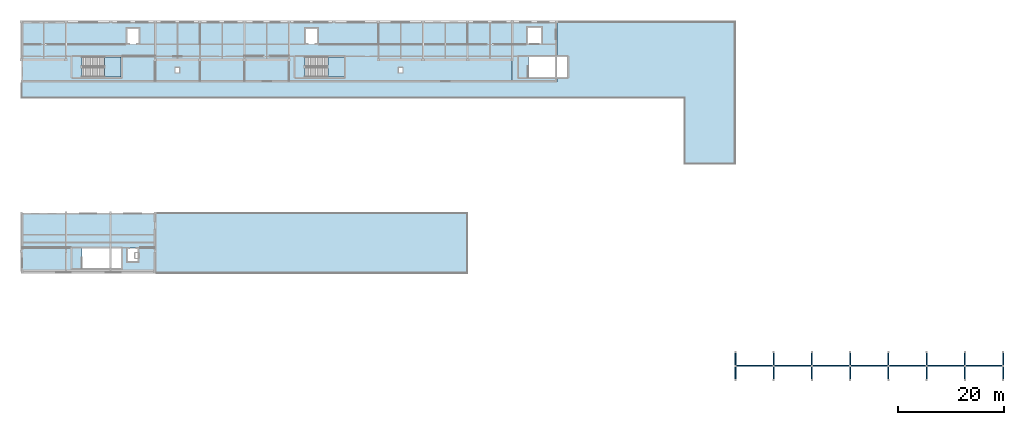
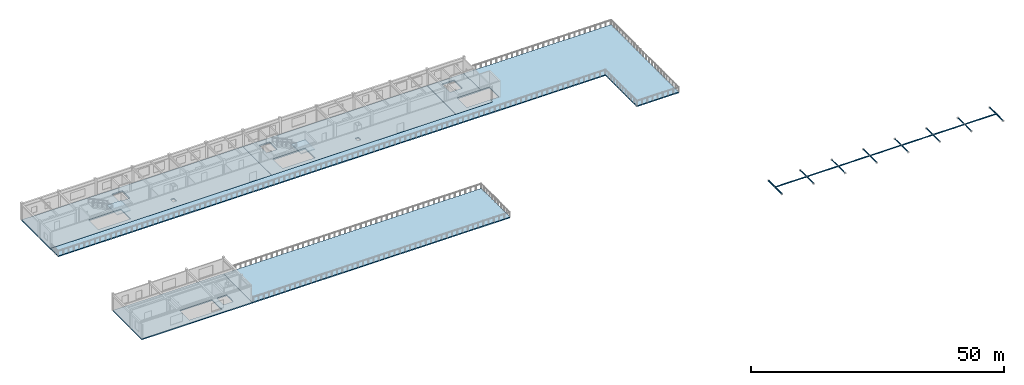
# One storey, part 2 of 14: 23 members, 8 slabs, 2 elements without a shape of their own.
"""IFC4 building model written with IfcOpenShell, lengths in metres."""

from ifc_helpers import new_model, si_unit, direction, frame, origin, origin_2d, place, context, subcontext, project, spatial, polyline, hollow_circle, outline, extrude, material, layer, layer_set, material_profile, profile_set, type_object, element, aggregate, save


model = new_model("IFC4")

# Units and contexts
model_context = context("Model", 3, precision=1e-05, world=origin(), true_north=direction((0.0, 1.0)))
body_context = subcontext(model_context, "Body", "Model", "MODEL_VIEW")
ifc_project = project(units=[si_unit("LENGTHUNIT", "METRE"), si_unit("AREAUNIT", "SQUARE_METRE"), si_unit("VOLUMEUNIT", "CUBIC_METRE"), si_unit("PLANEANGLEUNIT", "RADIAN"), si_unit("MASSUNIT", "GRAM", prefix="KILO")], contexts=[model_context])

# Site, building, storey
site_placement = place(None, origin())
site = spatial("IfcSite", under=ifc_project, at=site_placement, CompositionType="ELEMENT")
building_placement = place(site_placement, origin())
building = spatial("IfcBuilding", under=site, at=building_placement, Name="Malvenik Polytechnic", CompositionType="ELEMENT")
storey_placement = place(building_placement, frame((0.0, 0.0, 21.89990234375)))
storey = spatial("IfcBuildingStorey", under=building, at=storey_placement, Name="L05", CompositionType="ELEMENT", Elevation=21.89990234375)

# Members
ifc_material_1 = material(Name="Steel S355J2H", Category="steel")
ifc_material_profile_1 = material_profile(ifc_material_1, hollow_circle(Radius=0.096923828125, WallThickness=0.008056640625, at=origin_2d()), Name="CHS 193.7x8.0")
ifc_profile_set_1 = profile_set([ifc_material_profile_1], Name="Steel S355J2H")
member_type_1 = type_object("IfcMemberType", Name="STR-MEM-SFL-01", PredefinedType="CHORD", material=ifc_profile_set_1)
for number, where, z_axis, x_axis, name in (
    (1, (134.404052734375, 64.800048828125, 0.12890625), (1.0, 0.0, 0.0), (0.0, 1.0, 0.0), "Space-Frame Tube SFL-01 STR-SF-LT-0790"),
    (2, (141.60400390625, 64.800048828125, 0.12890625), (1.0, 0.0, 0.0), (0.0, 1.0, 0.0), "Space-Frame Tube SFL-01 STR-SF-LT-0832"),
):
    element("IfcMember", number, at=place(storey_placement, frame(where, z_axis=z_axis, x_axis=x_axis)), inside=storey, type_object=member_type_1, Name=name, PredefinedType="CHORD", context=body_context, shape_type="SweptSolid", body=[
        extrude(hollow_circle(Radius=0.096923828125, WallThickness=0.008056640625, at=origin_2d()), origin(), (0.0, 0.0, 1.0), 7.19189453125),
    ])
for number, where, z_axis, x_axis, name in (
    (3, (148.803955078125, 64.800048828125, 0.12890625), (1.0, 0.0, 0.0), (0.0, 1.0, 0.0), "Space-Frame Tube SFL-01 STR-SF-LT-0874"),
    (4, (156.00390625, 64.800048828125, 0.12890625), (1.0, 0.0, 0.0), (0.0, 1.0, 0.0), "Space-Frame Tube SFL-01 STR-SF-LT-0916"),
):
    element("IfcMember", number, at=place(storey_placement, frame(where, z_axis=z_axis, x_axis=x_axis)), inside=storey, type_object=member_type_1, Name=name, PredefinedType="CHORD", context=body_context, shape_type="SweptSolid", body=[
        extrude(hollow_circle(Radius=0.096923828125, WallThickness=0.008056640625, at=origin_2d()), origin(), (0.0, 0.0, 1.0), 7.192138671875),
    ])
for number, where, z_axis, x_axis, name in (
    (5, (163.2041015625, 64.800048828125, 0.12890625), (1.0, 0.0, 0.0), (0.0, 1.0, 0.0), "Space-Frame Tube SFL-01 STR-SF-LT-0958"),
    (6, (170.404052734375, 64.800048828125, 0.12890625), (1.0, 0.0, 0.0), (0.0, 1.0, 0.0), "Space-Frame Tube SFL-01 STR-SF-LT-1000"),
    (7, (177.60400390625, 64.800048828125, 0.12890625), (1.0, 0.0, 0.0), (0.0, 1.0, 0.0), "Space-Frame Tube SFL-01 STR-SF-LT-1042"),
):
    element("IfcMember", number, at=place(storey_placement, frame(where, z_axis=z_axis, x_axis=x_axis)), inside=storey, type_object=member_type_1, Name=name, PredefinedType="CHORD", context=body_context, shape_type="SweptSolid", body=[
        extrude(hollow_circle(Radius=0.096923828125, WallThickness=0.008056640625, at=origin_2d()), origin(), (0.0, 0.0, 1.0), 7.19189453125),
    ])
ifc_material_profile_2 = material_profile(ifc_material_1, hollow_circle(Radius=0.177734375, WallThickness=0.012451171875, at=origin_2d()), Name="CHS 355.6x12.5")
ifc_profile_set_2 = profile_set([ifc_material_profile_2], Name="Steel S355J2H")
member_type_2 = type_object("IfcMemberType", Name="STR-MEM-SFT-01", PredefinedType="CHORD", material=ifc_profile_set_2)
for number, where, z_axis, x_axis, name in (
    (8, (134.39990234375, 62.167236328125, 0.064453125), (0.0, 0.999699535849, 0.024511997535), (-1.0, 0.0, 0.0), "Space-Frame Tube SFT-01 STR-SF-TC-0024"),
    (9, (134.39990234375, 64.803955078125, 0.12890625), (0.0, 0.999699535849, -0.024511997535), (-1.0, 0.0, 0.0), "Space-Frame Tube SFT-01 STR-SF-TC-0026"),
):
    element("IfcMember", number, at=place(storey_placement, frame(where, z_axis=z_axis, x_axis=x_axis)), inside=storey, type_object=member_type_2, Name=name, PredefinedType="CHORD", context=body_context, shape_type="SweptSolid", body=[
        extrude(hollow_circle(Radius=0.177734375, WallThickness=0.012451171875, at=origin_2d()), origin(), (0.0, 0.0, 1.0), 2.62939453125),
    ])
ifc_material_profile_3 = material_profile(ifc_material_1, hollow_circle(Radius=0.136474609375, WallThickness=0.012451171875, at=origin_2d()), Name="CHS 273.0x12.5")
ifc_profile_set_3 = profile_set([ifc_material_profile_3], Name="Steel S355J2H")
member_type_3 = type_object("IfcMemberType", Name="STR-MEM-SFT-02", PredefinedType="CHORD", material=ifc_profile_set_3)
for number, where, z_axis, x_axis, name in (
    (10, (141.60009765625, 62.167236328125, 0.064453125), (0.0, 0.999699535849, 0.024511997535), (-1.0, 0.0, 0.0), "Space-Frame Tube SFT-02 STR-SF-TC-0121"),
    (11, (141.60009765625, 64.803955078125, 0.12890625), (0.0, 0.999699535849, -0.024511997535), (-1.0, 0.0, 0.0), "Space-Frame Tube SFT-02 STR-SF-TC-0123"),
    (12, (156.0, 62.167236328125, 0.064453125), (0.0, 0.999699535849, 0.024511997535), (-1.0, 0.0, 0.0), "Space-Frame Tube SFT-02 STR-SF-TC-0315"),
    (13, (156.0, 64.803955078125, 0.12890625), (0.0, 0.999699535849, -0.024511997535), (-1.0, 0.0, 0.0), "Space-Frame Tube SFT-02 STR-SF-TC-0317"),
    (14, (170.39990234375, 62.167236328125, 0.064453125), (0.0, 0.999699535849, 0.024511997535), (-1.0, 0.0, 0.0), "Space-Frame Tube SFT-02 STR-SF-TC-0509"),
    (15, (170.39990234375, 64.803955078125, 0.12890625), (0.0, 0.999699535849, -0.024511997535), (-1.0, 0.0, 0.0), "Space-Frame Tube SFT-02 STR-SF-TC-0511"),
):
    element("IfcMember", number, at=place(storey_placement, frame(where, z_axis=z_axis, x_axis=x_axis)), inside=storey, type_object=member_type_3, Name=name, PredefinedType="CHORD", context=body_context, shape_type="SweptSolid", body=[
        extrude(hollow_circle(Radius=0.136474609375, WallThickness=0.012451171875, at=origin_2d()), origin(), (0.0, 0.0, 1.0), 2.62939453125),
    ])
ifc_material_profile_4 = material_profile(ifc_material_1, hollow_circle(Radius=0.122314453125, WallThickness=0.010009765625, at=origin_2d()), Name="CHS 244.5x10.0")
ifc_profile_set_4 = profile_set([ifc_material_profile_4], Name="Steel S355J2H")
member_type_4 = type_object("IfcMemberType", Name="STR-MEM-SFT-03", PredefinedType="CHORD", material=ifc_profile_set_4)
for number, where, z_axis, x_axis, name in (
    (16, (148.800048828125, 62.167236328125, 0.064453125), (0.0, 0.999699535849, 0.024511997535), (-1.0, 0.0, 0.0), "Space-Frame Tube SFT-03 STR-SF-TC-0218"),
    (17, (148.800048828125, 64.803955078125, 0.12890625), (0.0, 0.999699535849, -0.024511997535), (-1.0, 0.0, 0.0), "Space-Frame Tube SFT-03 STR-SF-TC-0220"),
    (18, (163.199951171875, 62.167236328125, 0.064453125), (0.0, 0.999699535849, 0.024511997535), (-1.0, 0.0, 0.0), "Space-Frame Tube SFT-03 STR-SF-TC-0412"),
    (19, (163.199951171875, 64.803955078125, 0.12890625), (0.0, 0.999699535849, -0.024511997535), (-1.0, 0.0, 0.0), "Space-Frame Tube SFT-03 STR-SF-TC-0414"),
    (20, (177.60009765625, 62.167236328125, 0.064453125), (0.0, 0.999699535849, 0.024511997535), (-1.0, 0.0, 0.0), "Space-Frame Tube SFT-03 STR-SF-TC-0606"),
    (21, (177.60009765625, 64.803955078125, 0.12890625), (0.0, 0.999699535849, -0.024511997535), (-1.0, 0.0, 0.0), "Space-Frame Tube SFT-03 STR-SF-TC-0608"),
):
    element("IfcMember", number, at=place(storey_placement, frame(where, z_axis=z_axis, x_axis=x_axis)), inside=storey, type_object=member_type_4, Name=name, PredefinedType="CHORD", context=body_context, shape_type="SweptSolid", body=[
        extrude(hollow_circle(Radius=0.122314453125, WallThickness=0.010009765625, at=origin_2d()), origin(), (0.0, 0.0, 1.0), 2.62939453125),
    ])
ifc_material_profile_5 = material_profile(ifc_material_1, hollow_circle(Radius=0.161865234375, WallThickness=0.012451171875, at=origin_2d()), Name="CHS 323.9x12.5")
ifc_profile_set_5 = profile_set([ifc_material_profile_5], Name="Steel S355J2H")
member_type_5 = type_object("IfcMemberType", Name="STR-MEM-SFT-04", PredefinedType="CHORD", material=ifc_profile_set_5)
for number, where, z_axis, x_axis, name in (
    (22, (184.800048828125, 62.167236328125, 0.064453125), (0.0, 0.999699535849, 0.024511997535), (-1.0, 0.0, 0.0), "Space-Frame Tube SFT-04 STR-SF-TC-0703"),
    (23, (184.800048828125, 64.803955078125, 0.12890625), (0.0, 0.999699535849, -0.024511997535), (-1.0, 0.0, 0.0), "Space-Frame Tube SFT-04 STR-SF-TC-0705"),
):
    element("IfcMember", number, at=place(storey_placement, frame(where, z_axis=z_axis, x_axis=x_axis)), inside=storey, type_object=member_type_5, Name=name, PredefinedType="CHORD", context=body_context, shape_type="SweptSolid", body=[
        extrude(hollow_circle(Radius=0.161865234375, WallThickness=0.012451171875, at=origin_2d()), origin(), (0.0, 0.0, 1.0), 2.62939453125),
    ])

# Stair, slab
ifc_material_2 = material(Name="Concrete C35/45", Category="concrete")
stair_type_1 = type_object("IfcStairType", Name="ARC-STR-ST-01", PredefinedType="HALF_TURN_STAIR", material=ifc_material_2)
stair_1_placement = place(storey_placement, origin())
stair_1 = element("IfcStair", 24, at=stair_1_placement, inside=storey, type_object=stair_type_1, Name="L05 Escape Stair ST-01", PredefinedType="HALF_TURN_STAIR")
ifc_layer_1 = layer(ifc_material_2, 0.199951171875)
ifc_layer_set_1 = layer_set([ifc_layer_1], Name="Concrete C35/45")
slab_type_1 = type_object("IfcSlabType", Name="ARC-SLB-STLND", PredefinedType="LANDING", material=ifc_layer_set_1)
slab_1_placement = place(storey_placement, frame((0.0, 0.0, 1.900146484375)))
slab_1 = element("IfcSlab", 25, at=slab_1_placement, type_object=slab_type_1, Name="ST-01 landing 1", PredefinedType="LANDING", context=body_context, shape_type="SweptSolid", body=[
    extrude(outline(polyline([(15.68994140625, 119.14990234375), (18.800048828125, 119.14990234375), (18.800048828125, 122.949951171875), (15.68994140625, 122.949951171875), (15.68994140625, 119.14990234375)])), origin(), (0.0, 0.0, 1.0), 0.199951171875),
])
aggregate(stair_1, [slab_1])

stair_type_2 = type_object("IfcStairType", Name="ARC-STR-ST-02", PredefinedType="HALF_TURN_STAIR", material=ifc_material_2)
stair_2_placement = place(storey_placement, origin())
stair_2 = element("IfcStair", 26, at=stair_2_placement, inside=storey, type_object=stair_type_2, Name="L05 Escape Stair ST-02", PredefinedType="HALF_TURN_STAIR")
slab_2_placement = place(storey_placement, frame((0.0, 0.0, 1.900146484375)))
slab_2 = element("IfcSlab", 27, at=slab_2_placement, type_object=slab_type_1, Name="ST-02 landing 1", PredefinedType="LANDING", context=body_context, shape_type="SweptSolid", body=[
    extrude(outline(polyline([(57.68994140625, 119.14990234375), (60.800048828125, 119.14990234375), (60.800048828125, 122.949951171875), (57.68994140625, 122.949951171875), (57.68994140625, 119.14990234375)])), origin(), (0.0, 0.0, 1.0), 0.199951171875),
])
aggregate(stair_2, [slab_2])

# Slabs
ifc_layer_2 = layer(ifc_material_2, 0.260009765625)
ifc_layer_set_2 = layer_set([ifc_layer_2], Name="Concrete C35/45")
slab_type_2 = type_object("IfcSlabType", Name="STR-SLB-FLR-260", PredefinedType="FLOOR", material=ifc_layer_set_2)
slab_3_placement = place(storey_placement, frame((0.0, 0.0, -0.260009765625)))
element("IfcSlab", 28, at=slab_3_placement, inside=storey, type_object=slab_type_2, Name="Structural Slab L05-V2-CRN #101", PredefinedType="FLOOR", context=body_context, shape_type="SweptSolid", body=[
    extrude(outline(polyline([(25.199951171875, 93.60009765625), (25.199951171875, 82.199951171875), (0.0, 82.199951171875), (0.0, 93.60009765625), (25.199951171875, 93.60009765625)]), holes=[polyline([(11.41796875, 86.949951171875), (11.41796875, 83.14990234375), (18.800048828125, 83.14990234375), (18.800048828125, 86.949951171875), (11.41796875, 86.949951171875)]), polyline([(22.10009765625, 86.050048828125), (22.10009765625, 86.949951171875), (19.89990234375, 86.949951171875), (19.89990234375, 84.35009765625), (22.10009765625, 84.35009765625), (22.10009765625, 85.10009765625), (22.14990234375, 85.10009765625), (22.14990234375, 86.050048828125), (22.10009765625, 86.050048828125)])]), origin(), (0.0, 0.0, 1.0), 0.260009765625),
])
ifc_material_3 = material(Name="Concrete C40/50", Category="concrete")
ifc_layer_3 = layer(ifc_material_3, 0.320068359375)
ifc_layer_set_3 = layer_set([ifc_layer_3], Name="Concrete C40/50")
slab_type_3 = type_object("IfcSlabType", Name="STR-SLB-LIB-320", PredefinedType="FLOOR", material=ifc_layer_set_3)
slab_4_placement = place(storey_placement, frame((0.0, 0.0, -0.31982421875)))
element("IfcSlab", 29, at=slab_4_placement, inside=storey, type_object=slab_type_3, Name="Structural Slab L05-V1 #98", PredefinedType="FLOOR", context=body_context, shape_type="SweptSolid", body=[
    extrude(outline(polyline([(92.419921875, 118.199951171875), (92.419921875, 129.60009765625), (100.800048828125, 129.60009765625), (100.800048828125, 122.949951171875), (95.41796875, 122.949951171875), (95.41796875, 119.14990234375), (100.800048828125, 119.14990234375), (100.800048828125, 118.199951171875), (92.419921875, 118.199951171875)]), holes=[polyline([(95.199951171875, 128.550048828125), (95.199951171875, 125.35009765625), (98.0, 125.35009765625), (98.0, 128.550048828125), (95.199951171875, 128.550048828125)])]), origin(), (0.0, 0.0, 1.0), 0.31982421875),
])
slab_5_placement = place(storey_placement, frame((0.0, 0.0, -0.31982421875)))
element("IfcSlab", 30, at=slab_5_placement, inside=storey, type_object=slab_type_3, Name="Structural Slab L05-V1 #99", PredefinedType="FLOOR", context=body_context, shape_type="SweptSolid", body=[
    extrude(outline(polyline([(50.419921875, 118.199951171875), (50.419921875, 129.60009765625), (92.3798828125, 129.60009765625), (92.3798828125, 118.199951171875), (50.419921875, 118.199951171875)]), holes=[polyline([(71.0, 120.949951171875), (71.0, 120.0), (71.75, 120.0), (71.75, 120.949951171875), (71.0, 120.949951171875)]), polyline([(60.800048828125, 122.949951171875), (53.41796875, 122.949951171875), (53.41796875, 119.14990234375), (60.800048828125, 119.14990234375), (60.800048828125, 122.949951171875)]), polyline([(53.39990234375, 128.35009765625), (53.39990234375, 125.35009765625), (55.800048828125, 125.35009765625), (55.800048828125, 128.35009765625), (53.39990234375, 128.35009765625)])]), origin(), (0.0, 0.0, 1.0), 0.31982421875),
])
slab_6_placement = place(storey_placement, frame((0.0, 0.0, -0.31982421875)))
element("IfcSlab", 31, at=slab_6_placement, inside=storey, type_object=slab_type_3, Name="Structural Slab L05-V1 #100", PredefinedType="FLOOR", context=body_context, shape_type="SweptSolid", body=[
    extrude(outline(polyline([(0.0, 118.199951171875), (0.0, 129.60009765625), (50.3798828125, 129.60009765625), (50.3798828125, 118.199951171875), (0.0, 118.199951171875)]), holes=[polyline([(29.0, 120.949951171875), (29.0, 120.0), (29.75, 120.0), (29.75, 120.949951171875), (29.0, 120.949951171875)]), polyline([(18.800048828125, 122.949951171875), (11.41796875, 122.949951171875), (11.41796875, 119.14990234375), (18.800048828125, 119.14990234375), (18.800048828125, 122.949951171875)]), polyline([(19.800048828125, 125.35009765625), (22.199951171875, 125.35009765625), (22.199951171875, 128.35009765625), (19.800048828125, 128.35009765625), (19.800048828125, 125.35009765625)])]), origin(), (0.0, 0.0, 1.0), 0.31982421875),
])
ifc_layer_4 = layer(ifc_material_2, 0.25)
ifc_layer_set_4 = layer_set([ifc_layer_4], Name="Concrete C35/45")
slab_type_4 = type_object("IfcSlabType", Name="STR-SLB-TER-250", PredefinedType="FLOOR", material=ifc_layer_set_4)
slab_7_placement = place(storey_placement, frame((0.0, 0.0, -0.25)))
element("IfcSlab", 32, at=slab_7_placement, inside=storey, type_object=slab_type_4, Name="Exterior Terrace Slab L05 #102", PredefinedType="FLOOR", context=body_context, shape_type="SweptSolid", body=[
    extrude(outline(polyline([(100.800048828125, 118.199951171875), (100.800048828125, 118.219970703125), (100.800048828125, 119.14990234375), (102.800048828125, 119.14990234375), (102.800048828125, 122.949951171875), (100.800048828125, 122.949951171875), (100.800048828125, 129.599609375), (100.800048828125, 129.60009765625), (100.800537109375, 129.60009765625), (134.3798828125, 129.60009765625), (134.3798828125, 102.800048828125), (124.800537109375, 102.800048828125), (124.800048828125, 102.800048828125), (124.800048828125, 102.800537109375), (124.800048828125, 115.179931640625), (124.7998046875, 115.181884765625), (124.799560546875, 115.183837890625), (124.799072265625, 115.185791015625), (124.798583984375, 115.187744140625), (124.797607421875, 115.189453125), (124.796630859375, 115.191162109375), (124.79541015625, 115.192626953125), (124.794189453125, 115.194091796875), (124.792724609375, 115.195556640625), (124.791015625, 115.196533203125), (124.789306640625, 115.197509765625), (124.78759765625, 115.198486328125), (124.785888671875, 115.19921875), (124.783935546875, 115.19970703125), (124.781982421875, 115.199951171875), (124.780029296875, 115.199951171875), (0.00048828125, 115.199951171875), (0.0, 115.199951171875), (0.0, 115.200439453125), (0.0, 118.199462890625), (0.0, 118.199951171875), (0.00048828125, 118.199951171875), (100.780029296875, 118.199951171875), (100.800048828125, 118.199951171875)])), origin(), (0.0, 0.0, 1.0), 0.25),
])
slab_8_placement = place(storey_placement, frame((0.0, 0.0, -0.25)))
element("IfcSlab", 33, at=slab_8_placement, inside=storey, type_object=slab_type_4, Name="Exterior Terrace Slab L05 #103", PredefinedType="FLOOR", context=body_context, shape_type="SweptSolid", body=[
    extrude(outline(polyline([(83.99951171875, 93.60009765625), (84.0, 93.60009765625), (84.0, 93.599609375), (84.0, 82.200439453125), (84.0, 82.199951171875), (83.99951171875, 82.199951171875), (25.200439453125, 82.199951171875), (25.199951171875, 82.199951171875), (25.199951171875, 82.200439453125), (25.199951171875, 93.599609375), (25.199951171875, 93.60009765625), (25.200439453125, 93.60009765625), (83.99951171875, 93.60009765625)])), origin(), (0.0, 0.0, 1.0), 0.25),
])

save(model, "model.ifc")
